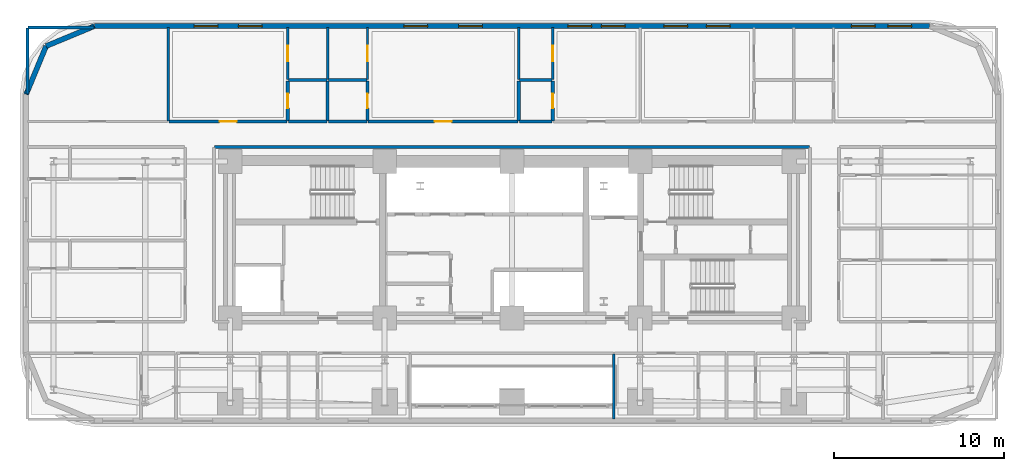
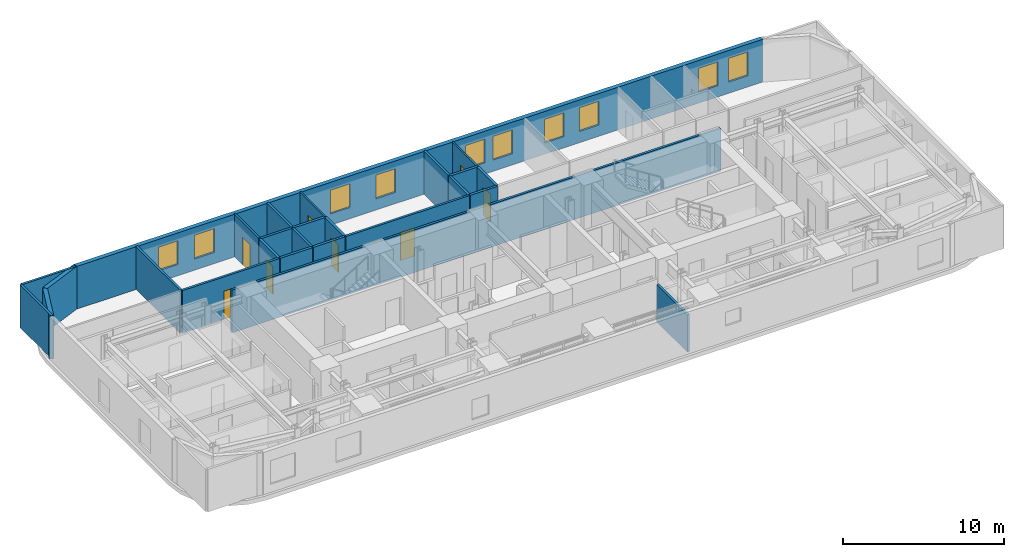
# One storey, part 9 of 15: 26 walls, 10 windows, 8 doors, 18 openings.
"""IFC4 building model written with IfcOpenShell, lengths in metres."""

from ifc_helpers import new_model, si_unit, direction, frame, frame_2d, origin, place, context, subcontext, project, spatial, rectangle, extrude, material, layer, layer_set, type_object, element, fill, save


model = new_model("IFC4")

# Units and contexts
model_context = context("Model", 3, precision=1e-05, world=origin(), true_north=direction((0.0, 1.0)))
body_context = subcontext(model_context, "Body", "Model", "MODEL_VIEW")
ifc_project = project(units=[si_unit("LENGTHUNIT", "METRE"), si_unit("AREAUNIT", "SQUARE_METRE"), si_unit("VOLUMEUNIT", "CUBIC_METRE"), si_unit("PLANEANGLEUNIT", "RADIAN"), si_unit("MASSUNIT", "GRAM", prefix="KILO")], contexts=[model_context])

# Site, building, storey
site_placement = place(None, origin())
site = spatial("IfcSite", under=ifc_project, at=site_placement, CompositionType="ELEMENT")
building_placement = place(site_placement, origin())
building = spatial("IfcBuilding", under=site, at=building_placement, Name="Zarnavel Station Tower", CompositionType="ELEMENT")
storey_placement = place(building_placement, frame((0.0, 0.0, 36.0)))
storey = spatial("IfcBuildingStorey", under=building, at=storey_placement, Name="L09", CompositionType="ELEMENT", Elevation=36.0)

# Wall, openings, windows
ifc_material_1 = material(Name="Precast concrete C45/55 (Dark Basalt Finish)", Category="masonry")
ifc_layer_1 = layer(ifc_material_1, 0.300048828125)
ifc_layer_set_1 = layer_set([ifc_layer_1], Name="EW_BASALT_300")
wall_type_1 = type_object("IfcWallType", Name="EW_BASALT_300", PredefinedType="SOLIDWALL", material=ifc_layer_set_1)
wall_1_placement = place(storey_placement, frame((4.199951171875, 45.02001953125, 0.0), z_axis=(0.0, 0.0, 1.0), x_axis=(1.0, 0.0, 0.0)))
wall_1 = element("IfcWall", 1, at=wall_1_placement, inside=storey, type_object=wall_type_1, Name="L09 Exterior Basalt Masonry Frame Wall 06", PredefinedType="SOLIDWALL", context=body_context, shape_type="SweptSolid", body=[
    extrude(rectangle(XDim=49.199951171875, YDim=0.300048828125, at=frame_2d((24.60009765625, 0.0))), origin(), (0.0, 0.0, 1.0), 3.239990234375),
])
opening_1_placement = place(wall_1_placement, frame((5.870361328125, 0.0, 0.85009765625)))
opening_1 = element("IfcOpeningElement", 2, at=opening_1_placement, cuts=wall_1, Name="Opening WN01", PredefinedType="OPENING", context=body_context, shape_type="SweptSolid", body=[
    extrude(rectangle(XDim=1.39990234375, YDim=1.800048828125, at=frame_2d((0.699951171875, 0.89990234375))), frame((0.0, 0.159912109375, 0.0), z_axis=(0.0, -1.0, 0.0), x_axis=(1.0, 0.0, 0.0)), (0.0, 0.0, 1.0), 0.320068359375),
])
opening_2_placement = place(wall_1_placement, frame((8.480712890625, 0.0, 0.85009765625)))
opening_2 = element("IfcOpeningElement", 3, at=opening_2_placement, cuts=wall_1, Name="Opening WN01", PredefinedType="OPENING", context=body_context, shape_type="SweptSolid", body=[
    extrude(rectangle(XDim=1.39990234375, YDim=1.800048828125, at=frame_2d((0.699951171875, 0.89990234375))), frame((0.0, 0.159912109375, 0.0), z_axis=(0.0, -1.0, 0.0), x_axis=(1.0, 0.0, 0.0)), (0.0, 0.0, 1.0), 0.320068359375),
])
opening_3_placement = place(wall_1_placement, frame((18.226806640625, 0.0, 0.85009765625)))
opening_3 = element("IfcOpeningElement", 4, at=opening_3_placement, cuts=wall_1, Name="Opening WN01", PredefinedType="OPENING", context=body_context, shape_type="SweptSolid", body=[
    extrude(rectangle(XDim=1.39990234375, YDim=1.800048828125, at=frame_2d((0.699951171875, 0.89990234375))), frame((0.0, 0.159912109375, 0.0), z_axis=(0.0, -1.0, 0.0), x_axis=(1.0, 0.0, 0.0)), (0.0, 0.0, 1.0), 0.320068359375),
])
opening_4_placement = place(wall_1_placement, frame((21.46240234375, 0.0, 0.85009765625)))
opening_4 = element("IfcOpeningElement", 5, at=opening_4_placement, cuts=wall_1, Name="Opening WN01", PredefinedType="OPENING", context=body_context, shape_type="SweptSolid", body=[
    extrude(rectangle(XDim=1.39990234375, YDim=1.800048828125, at=frame_2d((0.699951171875, 0.89990234375))), frame((0.0, 0.159912109375, 0.0), z_axis=(0.0, -1.0, 0.0), x_axis=(1.0, 0.0, 0.0)), (0.0, 0.0, 1.0), 0.320068359375),
])
opening_5_placement = place(wall_1_placement, frame((27.884033203125, 0.0, 0.85009765625)))
opening_5 = element("IfcOpeningElement", 6, at=opening_5_placement, cuts=wall_1, Name="Opening WN01", PredefinedType="OPENING", context=body_context, shape_type="SweptSolid", body=[
    extrude(rectangle(XDim=1.39990234375, YDim=1.800048828125, at=frame_2d((0.699951171875, 0.89990234375))), frame((0.0, 0.159912109375, 0.0), z_axis=(0.0, -1.0, 0.0), x_axis=(1.0, 0.0, 0.0)), (0.0, 0.0, 1.0), 0.320068359375),
])
opening_6_placement = place(wall_1_placement, frame((29.866943359375, 0.0, 0.85009765625)))
opening_6 = element("IfcOpeningElement", 7, at=opening_6_placement, cuts=wall_1, Name="Opening WN01", PredefinedType="OPENING", context=body_context, shape_type="SweptSolid", body=[
    extrude(rectangle(XDim=1.39990234375, YDim=1.800048828125, at=frame_2d((0.699951171875, 0.89990234375))), frame((0.0, 0.159912109375, 0.0), z_axis=(0.0, -1.0, 0.0), x_axis=(1.0, 0.0, 0.0)), (0.0, 0.0, 1.0), 0.320068359375),
])
opening_7_placement = place(wall_1_placement, frame((33.550048828125, 0.0, 0.85009765625)))
opening_7 = element("IfcOpeningElement", 8, at=opening_7_placement, cuts=wall_1, Name="Opening WN01", PredefinedType="OPENING", context=body_context, shape_type="SweptSolid", body=[
    extrude(rectangle(XDim=1.39990234375, YDim=1.800048828125, at=frame_2d((0.699951171875, 0.89990234375))), frame((0.0, 0.159912109375, 0.0), z_axis=(0.0, -1.0, 0.0), x_axis=(1.0, 0.0, 0.0)), (0.0, 0.0, 1.0), 0.320068359375),
])
opening_8_placement = place(wall_1_placement, frame((36.050048828125, 0.0, 0.85009765625)))
opening_8 = element("IfcOpeningElement", 9, at=opening_8_placement, cuts=wall_1, Name="Opening WN01", PredefinedType="OPENING", context=body_context, shape_type="SweptSolid", body=[
    extrude(rectangle(XDim=1.39990234375, YDim=1.800048828125, at=frame_2d((0.699951171875, 0.89990234375))), frame((0.0, 0.159912109375, 0.0), z_axis=(0.0, -1.0, 0.0), x_axis=(1.0, 0.0, 0.0)), (0.0, 0.0, 1.0), 0.320068359375),
])
opening_9_placement = place(wall_1_placement, frame((44.59326171875, 0.0, 0.85009765625)))
opening_9 = element("IfcOpeningElement", 10, at=opening_9_placement, cuts=wall_1, Name="Opening WN01", PredefinedType="OPENING", context=body_context, shape_type="SweptSolid", body=[
    extrude(rectangle(XDim=1.39990234375, YDim=1.800048828125, at=frame_2d((0.699951171875, 0.89990234375))), frame((0.0, 0.159912109375, 0.0), z_axis=(0.0, -1.0, 0.0), x_axis=(1.0, 0.0, 0.0)), (0.0, 0.0, 1.0), 0.320068359375),
])
opening_10_placement = place(wall_1_placement, frame((46.73681640625, 0.0, 0.85009765625)))
opening_10 = element("IfcOpeningElement", 11, at=opening_10_placement, cuts=wall_1, Name="Opening WN01", PredefinedType="OPENING", context=body_context, shape_type="SweptSolid", body=[
    extrude(rectangle(XDim=1.39990234375, YDim=1.800048828125, at=frame_2d((0.699951171875, 0.89990234375))), frame((0.0, 0.159912109375, 0.0), z_axis=(0.0, -1.0, 0.0), x_axis=(1.0, 0.0, 0.0)), (0.0, 0.0, 1.0), 0.320068359375),
])
ifc_material_2 = material(Name="Thermally Broken Black Aluminium and Low-E Dark Glass", Category="aluminium")
window_type = type_object("IfcWindowType", Name="WN_1400x1800", PartitioningType="DOUBLE_PANEL_VERTICAL", PredefinedType="WINDOW", material=ifc_material_2)
window_1_placement = place(opening_1_placement, origin())
window_1 = element("IfcWindow", 12, at=window_1_placement, inside=storey, type_object=window_type, Name="L09 Recessed Facade Window 01", OverallHeight=1.800048828125, OverallWidth=1.39990234375, PartitioningType="SINGLE_PANEL", PredefinedType="WINDOW", context=body_context, shape_type="SweptSolid", body=[
    extrude(rectangle(XDim=1.39990234375, YDim=1.800048828125, at=frame_2d((0.699951171875, 0.89990234375))), frame((0.0, 0.030029296875, 0.0), z_axis=(0.0, -1.0, 0.0), x_axis=(1.0, 0.0, 0.0)), (0.0, 0.0, 1.0), 0.06005859375),
])
fill(opening_1, window_1)
window_2_placement = place(opening_2_placement, origin())
window_2 = element("IfcWindow", 13, at=window_2_placement, inside=storey, type_object=window_type, Name="L09 Recessed Facade Window 02", OverallHeight=1.800048828125, OverallWidth=1.39990234375, PartitioningType="SINGLE_PANEL", PredefinedType="WINDOW", context=body_context, shape_type="SweptSolid", body=[
    extrude(rectangle(XDim=1.39990234375, YDim=1.800048828125, at=frame_2d((0.699951171875, 0.89990234375))), frame((0.0, 0.030029296875, 0.0), z_axis=(0.0, -1.0, 0.0), x_axis=(1.0, 0.0, 0.0)), (0.0, 0.0, 1.0), 0.06005859375),
])
fill(opening_2, window_2)
window_3_placement = place(opening_3_placement, origin())
window_3 = element("IfcWindow", 14, at=window_3_placement, inside=storey, type_object=window_type, Name="L09 Recessed Facade Window 03", OverallHeight=1.800048828125, OverallWidth=1.39990234375, PartitioningType="SINGLE_PANEL", PredefinedType="WINDOW", context=body_context, shape_type="SweptSolid", body=[
    extrude(rectangle(XDim=1.39990234375, YDim=1.800048828125, at=frame_2d((0.699951171875, 0.89990234375))), frame((0.0, 0.030029296875, 0.0), z_axis=(0.0, -1.0, 0.0), x_axis=(1.0, 0.0, 0.0)), (0.0, 0.0, 1.0), 0.06005859375),
])
fill(opening_3, window_3)
window_4_placement = place(opening_4_placement, origin())
window_4 = element("IfcWindow", 15, at=window_4_placement, inside=storey, type_object=window_type, Name="L09 Recessed Facade Window 04", OverallHeight=1.800048828125, OverallWidth=1.39990234375, PartitioningType="SINGLE_PANEL", PredefinedType="WINDOW", context=body_context, shape_type="SweptSolid", body=[
    extrude(rectangle(XDim=1.39990234375, YDim=1.800048828125, at=frame_2d((0.699951171875, 0.89990234375))), frame((0.0, 0.030029296875, 0.0), z_axis=(0.0, -1.0, 0.0), x_axis=(1.0, 0.0, 0.0)), (0.0, 0.0, 1.0), 0.06005859375),
])
fill(opening_4, window_4)
window_5_placement = place(opening_5_placement, origin())
window_5 = element("IfcWindow", 16, at=window_5_placement, inside=storey, type_object=window_type, Name="L09 Recessed Facade Window 05", OverallHeight=1.800048828125, OverallWidth=1.39990234375, PartitioningType="SINGLE_PANEL", PredefinedType="WINDOW", context=body_context, shape_type="SweptSolid", body=[
    extrude(rectangle(XDim=1.39990234375, YDim=1.800048828125, at=frame_2d((0.699951171875, 0.89990234375))), frame((0.0, 0.030029296875, 0.0), z_axis=(0.0, -1.0, 0.0), x_axis=(1.0, 0.0, 0.0)), (0.0, 0.0, 1.0), 0.06005859375),
])
fill(opening_5, window_5)
window_6_placement = place(opening_6_placement, origin())
window_6 = element("IfcWindow", 17, at=window_6_placement, inside=storey, type_object=window_type, Name="L09 Recessed Facade Window 06", OverallHeight=1.800048828125, OverallWidth=1.39990234375, PartitioningType="SINGLE_PANEL", PredefinedType="WINDOW", context=body_context, shape_type="SweptSolid", body=[
    extrude(rectangle(XDim=1.39990234375, YDim=1.800048828125, at=frame_2d((0.699951171875, 0.89990234375))), frame((0.0, 0.030029296875, 0.0), z_axis=(0.0, -1.0, 0.0), x_axis=(1.0, 0.0, 0.0)), (0.0, 0.0, 1.0), 0.06005859375),
])
fill(opening_6, window_6)
window_7_placement = place(opening_7_placement, origin())
window_7 = element("IfcWindow", 18, at=window_7_placement, inside=storey, type_object=window_type, Name="L09 Recessed Facade Window 07", OverallHeight=1.800048828125, OverallWidth=1.39990234375, PartitioningType="SINGLE_PANEL", PredefinedType="WINDOW", context=body_context, shape_type="SweptSolid", body=[
    extrude(rectangle(XDim=1.39990234375, YDim=1.800048828125, at=frame_2d((0.699951171875, 0.89990234375))), frame((0.0, 0.030029296875, 0.0), z_axis=(0.0, -1.0, 0.0), x_axis=(1.0, 0.0, 0.0)), (0.0, 0.0, 1.0), 0.06005859375),
])
fill(opening_7, window_7)
window_8_placement = place(opening_8_placement, origin())
window_8 = element("IfcWindow", 19, at=window_8_placement, inside=storey, type_object=window_type, Name="L09 Recessed Facade Window 08", OverallHeight=1.800048828125, OverallWidth=1.39990234375, PartitioningType="SINGLE_PANEL", PredefinedType="WINDOW", context=body_context, shape_type="SweptSolid", body=[
    extrude(rectangle(XDim=1.39990234375, YDim=1.800048828125, at=frame_2d((0.699951171875, 0.89990234375))), frame((0.0, 0.030029296875, 0.0), z_axis=(0.0, -1.0, 0.0), x_axis=(1.0, 0.0, 0.0)), (0.0, 0.0, 1.0), 0.06005859375),
])
fill(opening_8, window_8)
window_9_placement = place(opening_9_placement, origin())
window_9 = element("IfcWindow", 20, at=window_9_placement, inside=storey, type_object=window_type, Name="L09 Recessed Facade Window 09", OverallHeight=1.800048828125, OverallWidth=1.39990234375, PartitioningType="SINGLE_PANEL", PredefinedType="WINDOW", context=body_context, shape_type="SweptSolid", body=[
    extrude(rectangle(XDim=1.39990234375, YDim=1.800048828125, at=frame_2d((0.699951171875, 0.89990234375))), frame((0.0, 0.030029296875, 0.0), z_axis=(0.0, -1.0, 0.0), x_axis=(1.0, 0.0, 0.0)), (0.0, 0.0, 1.0), 0.06005859375),
])
fill(opening_9, window_9)
window_10_placement = place(opening_10_placement, origin())
window_10 = element("IfcWindow", 21, at=window_10_placement, inside=storey, type_object=window_type, Name="L09 Recessed Facade Window 10", OverallHeight=1.800048828125, OverallWidth=1.39990234375, PartitioningType="SINGLE_PANEL", PredefinedType="WINDOW", context=body_context, shape_type="SweptSolid", body=[
    extrude(rectangle(XDim=1.39990234375, YDim=1.800048828125, at=frame_2d((0.699951171875, 0.89990234375))), frame((0.0, 0.030029296875, 0.0), z_axis=(0.0, -1.0, 0.0), x_axis=(1.0, 0.0, 0.0)), (0.0, 0.0, 1.0), 0.06005859375),
])
fill(opening_10, window_10)

# Walls
for number, where, z_axis, x_axis, name in (
    (22, (1.357421875, 43.842529296875, 0.0), (0.0, 0.0, 1.0), (0.923870793506, 0.382704529509, 0.0), "L09 Exterior Basalt Masonry Frame Wall 07"),
    (23, (0.179931640625, 41.0, 0.0), (0.0, 0.0, 1.0), (0.382704529509, 0.923870793506, 0.0), "L09 Exterior Basalt Masonry Frame Wall 08"),
):
    element("IfcWall", number, at=place(storey_placement, frame(where, z_axis=z_axis, x_axis=x_axis)), inside=storey, type_object=wall_type_1, Name=name, PredefinedType="SOLIDWALL", context=body_context, shape_type="SweptSolid", body=[
        extrude(rectangle(XDim=3.07666015625, YDim=0.300048828125, at=frame_2d((1.538330078125, 0.0))), origin(), (0.0, 0.0, 1.0), 3.239990234375),
    ])

# Wall, opening, door
ifc_material_3 = material(Name="Gypsum Twin-Stud Acoustic Fire Partition", Category="concrete")
ifc_layer_2 = layer(ifc_material_3, 0.159912109375)
ifc_layer_set_2 = layer_set([ifc_layer_2], Name="PT_DEMISE_160")
wall_type_2 = type_object("IfcWallType", Name="PT_DEMISE_160", PredefinedType="PARTITIONING", material=ifc_layer_set_2)
wall_2_placement = place(storey_placement, frame((8.60009765625, 39.39990234375, 0.0), z_axis=(0.0, 0.0, 1.0), x_axis=(1.0, 0.0, 0.0)))
wall_2 = element("IfcWall", 24, at=wall_2_placement, inside=storey, type_object=wall_type_2, Name="L09 Partition COR-N-HN1R", PredefinedType="PARTITIONING", context=body_context, shape_type="SweptSolid", body=[
    extrude(rectangle(XDim=6.950927734375, YDim=0.159912109375, at=frame_2d((3.4755859375, 0.0))), origin(), (0.0, 0.0, 1.0), 3.239990234375),
])
opening_11_placement = place(wall_2_placement, frame((2.9755859375, 0.0, 0.0)))
opening_11 = element("IfcOpeningElement", 25, at=opening_11_placement, cuts=wall_2, Name="Opening FD02", PredefinedType="OPENING", context=body_context, shape_type="SweptSolid", body=[
    extrude(rectangle(XDim=1.0, YDim=2.14990234375, at=frame_2d((0.5, 1.074951171875))), frame((0.0, 0.08984375, 0.0), z_axis=(0.0, -1.0, 0.0), x_axis=(1.0, 0.0, 0.0)), (0.0, 0.0, 1.0), 0.179931640625),
])
ifc_material_4 = material(Name="Painted Galvanised Steel and Hardwood Leaf", Category="steel")
door_type_1 = type_object("IfcDoorType", Name="ID_ENTRY_1000", OperationType="NOTDEFINED", PredefinedType="DOOR", material=ifc_material_4)
door_1_placement = place(opening_11_placement, origin())
door_1 = element("IfcDoor", 26, at=door_1_placement, inside=storey, type_object=door_type_1, Name="L09 Door COR-N-HN1R", OperationType="SINGLE_SWING_LEFT", OverallHeight=2.14990234375, OverallWidth=1.0, PredefinedType="DOOR", context=body_context, shape_type="SweptSolid", body=[
    extrude(rectangle(XDim=1.0, YDim=2.14990234375, at=frame_2d((0.5, 1.074951171875))), frame((0.0, 0.02490234375, 0.0), z_axis=(0.0, -1.0, 0.0), x_axis=(1.0, 0.0, 0.0)), (0.0, 0.0, 1.0), 0.050048828125),
])
fill(opening_11, door_1)

wall_3_placement = place(storey_placement, frame((20.3310546875, 39.39990234375, 0.0), z_axis=(0.0, 0.0, 1.0), x_axis=(1.0, 0.0, 0.0)))
wall_3 = element("IfcWall", 27, at=wall_3_placement, inside=storey, type_object=wall_type_2, Name="L09 Partition COR-N-HN2R", PredefinedType="PARTITIONING", context=body_context, shape_type="SweptSolid", body=[
    extrude(rectangle(XDim=8.826904296875, YDim=0.159912109375, at=frame_2d((4.41357421875, 0.0))), origin(), (0.0, 0.0, 1.0), 3.239990234375),
])
opening_12_placement = place(wall_3_placement, frame((3.91357421875, 0.0, 0.0)))
opening_12 = element("IfcOpeningElement", 28, at=opening_12_placement, cuts=wall_3, Name="Opening FD02", PredefinedType="OPENING", context=body_context, shape_type="SweptSolid", body=[
    extrude(rectangle(XDim=1.0, YDim=2.14990234375, at=frame_2d((0.5, 1.074951171875))), frame((0.0, 0.08984375, 0.0), z_axis=(0.0, -1.0, 0.0), x_axis=(1.0, 0.0, 0.0)), (0.0, 0.0, 1.0), 0.179931640625),
])
door_2_placement = place(opening_12_placement, origin())
door_2 = element("IfcDoor", 29, at=door_2_placement, inside=storey, type_object=door_type_1, Name="L09 Door COR-N-HN2R", OperationType="SINGLE_SWING_RIGHT", OverallHeight=2.14990234375, OverallWidth=1.0, PredefinedType="DOOR", context=body_context, shape_type="SweptSolid", body=[
    extrude(rectangle(XDim=1.0, YDim=2.14990234375, at=frame_2d((0.5, 1.074951171875))), frame((0.0, 0.02490234375, 0.0), z_axis=(0.0, -1.0, 0.0), x_axis=(1.0, 0.0, 0.0)), (0.0, 0.0, 1.0), 0.050048828125),
])
fill(opening_12, door_2)

# Walls
wall_4_placement = place(storey_placement, frame((8.56005859375, 39.43994140625, 0.0), z_axis=(0.0, 0.0, 1.0), x_axis=(0.0, 1.0, 0.0)))
element("IfcWall", 30, at=wall_4_placement, inside=storey, type_object=wall_type_2, Name="L09 Partition HSKP-HN1R", PredefinedType="PARTITIONING", context=body_context, shape_type="SweptSolid", body=[
    extrude(rectangle(XDim=5.5, YDim=0.159912109375, at=frame_2d((2.75, 0.0))), origin(), (0.0, 0.0, 1.0), 3.239990234375),
])
for number, where, z_axis, x_axis, name in (
    (31, (17.94091796875, 41.8779296875, 0.0), (0.0, 0.0, 1.0), (0.0, 1.0, 0.0), "L09 Partition HN1S-HN2S"),
    (32, (29.197998046875, 41.8779296875, 0.0), (0.0, 0.0, 1.0), (0.0, 1.0, 0.0), "L09 Partition HN2R-HN3S"),
):
    element("IfcWall", number, at=place(storey_placement, frame(where, z_axis=z_axis, x_axis=x_axis)), inside=storey, type_object=wall_type_2, Name=name, PredefinedType="PARTITIONING", context=body_context, shape_type="SweptSolid", body=[
        extrude(rectangle(XDim=3.06201171875, YDim=0.159912109375, at=frame_2d((1.531005859375, 0.0))), origin(), (0.0, 0.0, 1.0), 3.239990234375),
    ])
wall_5_placement = place(storey_placement, frame((11.280029296875, 37.89990234375, 0.0), z_axis=(0.0, 0.0, 1.0), x_axis=(1.0, 0.0, 0.0)))
element("IfcWall", 33, at=wall_5_placement, inside=storey, type_object=wall_type_2, Name="L09 Enclosure Wall COR-N", PredefinedType="PARTITIONING", context=body_context, shape_type="SweptSolid", body=[
    extrude(rectangle(XDim=35.0400390625, YDim=0.159912109375, at=frame_2d((17.52001953125, 0.0))), origin(), (0.0, 0.0, 1.0), 3.239990234375),
])
for number, where, z_axis, x_axis, name in (
    (34, (0.2900390625, 44.93994140625, 0.0), (0.0, 0.0, 1.0), (1.0, 0.0, 0.0), "L09 Enclosure Wall HSKP"),
    (35, (0.260009765625, 41.030029296875, 0.0), (0.0, 0.0, 1.0), (0.0, 1.0, 0.0), "L09 Enclosure Wall HSKP"),
):
    element("IfcWall", number, at=place(storey_placement, frame(where, z_axis=z_axis, x_axis=x_axis)), inside=storey, type_object=wall_type_2, Name=name, PredefinedType="PARTITIONING", context=body_context, shape_type="SweptSolid", body=[
        extrude(rectangle(XDim=3.8798828125, YDim=0.159912109375, at=frame_2d((1.93994140625, 0.0))), origin(), (0.0, 0.0, 1.0), 3.239990234375),
    ])
wall_6_placement = place(storey_placement, frame((34.800048828125, 21.889892578125, 0.0), z_axis=(0.0, 0.0, 1.0), x_axis=(0.0, 1.0, 0.0)))
element("IfcWall", 36, at=wall_6_placement, inside=storey, type_object=wall_type_2, Name="L09 Enclosure Wall HE1R", PredefinedType="PARTITIONING", context=body_context, shape_type="SweptSolid", body=[
    extrude(rectangle(XDim=3.830078125, YDim=0.159912109375, at=frame_2d((1.9150390625, 0.0))), origin(), (0.0, 0.0, 1.0), 2.820068359375),
])

# Wall, opening, door
ifc_material_5 = material(Name="Gypsum Metal-Stud Interior Partition", Category="concrete")
ifc_layer_3 = layer(ifc_material_5, 0.1201171875)
ifc_layer_set_3 = layer_set([ifc_layer_3], Name="PT_ROOM_120")
wall_type_3 = type_object("IfcWallType", Name="PT_ROOM_120", PredefinedType="PARTITIONING", material=ifc_layer_set_3)
wall_7_placement = place(storey_placement, frame((15.591064453125, 41.8779296875, 0.0), z_axis=(0.0, 0.0, 1.0), x_axis=(0.0, 1.0, 0.0)))
wall_7 = element("IfcWall", 37, at=wall_7_placement, inside=storey, type_object=wall_type_3, Name="L09 Partition HN1R-HN1S", PredefinedType="PARTITIONING", context=body_context, shape_type="SweptSolid", body=[
    extrude(rectangle(XDim=3.06201171875, YDim=0.1201171875, at=frame_2d((1.531005859375, 0.0))), origin(), (0.0, 0.0, 1.0), 3.239990234375),
])
opening_13_placement = place(wall_7_placement, frame((1.0810546875, 0.0, 0.0)))
opening_13 = element("IfcOpeningElement", 38, at=opening_13_placement, cuts=wall_7, Name="Opening ID01", PredefinedType="OPENING", context=body_context, shape_type="SweptSolid", body=[
    extrude(rectangle(XDim=0.89990234375, YDim=2.10009765625, at=frame_2d((0.449951171875, 1.050048828125))), frame((0.0, 0.070068359375, 0.0), z_axis=(0.0, -1.0, 0.0), x_axis=(1.0, 0.0, 0.0)), (0.0, 0.0, 1.0), 0.14013671875),
])
ifc_material_6 = material(Name="Painted Galvanised Steel and Hardwood Leaf", Category="steel")
door_type_2 = type_object("IfcDoorType", Name="ID_ROOM_900", OperationType="NOTDEFINED", PredefinedType="DOOR", material=ifc_material_6)
door_3_placement = place(opening_13_placement, origin())
door_3 = element("IfcDoor", 39, at=door_3_placement, inside=storey, type_object=door_type_2, Name="L09 Door HN1R-HN1S", OperationType="SINGLE_SWING_LEFT", OverallHeight=2.10009765625, OverallWidth=0.89990234375, PredefinedType="DOOR", context=body_context, shape_type="SweptSolid", body=[
    extrude(rectangle(XDim=0.89990234375, YDim=2.10009765625, at=frame_2d((0.449951171875, 1.050048828125))), frame((0.0, 0.02490234375, 0.0), z_axis=(0.0, -1.0, 0.0), x_axis=(1.0, 0.0, 0.0)), (0.0, 0.0, 1.0), 0.050048828125),
])
fill(opening_13, door_3)

wall_8_placement = place(storey_placement, frame((20.291015625, 41.8779296875, 0.0), z_axis=(0.0, 0.0, 1.0), x_axis=(0.0, 1.0, 0.0)))
wall_8 = element("IfcWall", 40, at=wall_8_placement, inside=storey, type_object=wall_type_3, Name="L09 Partition HN2R-HN2S", PredefinedType="PARTITIONING", context=body_context, shape_type="SweptSolid", body=[
    extrude(rectangle(XDim=3.06201171875, YDim=0.1201171875, at=frame_2d((1.531005859375, 0.0))), origin(), (0.0, 0.0, 1.0), 3.239990234375),
])
opening_14_placement = place(wall_8_placement, frame((1.0810546875, 0.0, 0.0)))
opening_14 = element("IfcOpeningElement", 41, at=opening_14_placement, cuts=wall_8, Name="Opening ID01", PredefinedType="OPENING", context=body_context, shape_type="SweptSolid", body=[
    extrude(rectangle(XDim=0.89990234375, YDim=2.10009765625, at=frame_2d((0.449951171875, 1.050048828125))), frame((0.0, 0.070068359375, 0.0), z_axis=(0.0, -1.0, 0.0), x_axis=(1.0, 0.0, 0.0)), (0.0, 0.0, 1.0), 0.14013671875),
])
door_4_placement = place(opening_14_placement, origin())
door_4 = element("IfcDoor", 42, at=door_4_placement, inside=storey, type_object=door_type_2, Name="L09 Door HN2R-HN2S", OperationType="SINGLE_SWING_LEFT", OverallHeight=2.10009765625, OverallWidth=0.89990234375, PredefinedType="DOOR", context=body_context, shape_type="SweptSolid", body=[
    extrude(rectangle(XDim=0.89990234375, YDim=2.10009765625, at=frame_2d((0.449951171875, 1.050048828125))), frame((0.0, 0.02490234375, 0.0), z_axis=(0.0, -1.0, 0.0), x_axis=(1.0, 0.0, 0.0)), (0.0, 0.0, 1.0), 0.050048828125),
])
fill(opening_14, door_4)

wall_9_placement = place(storey_placement, frame((31.200927734375, 41.8779296875, 0.0), z_axis=(0.0, 0.0, 1.0), x_axis=(0.0, 1.0, 0.0)))
wall_9 = element("IfcWall", 43, at=wall_9_placement, inside=storey, type_object=wall_type_3, Name="L09 Partition HN3R-HN3S", PredefinedType="PARTITIONING", context=body_context, shape_type="SweptSolid", body=[
    extrude(rectangle(XDim=3.06201171875, YDim=0.1201171875, at=frame_2d((1.531005859375, 0.0))), origin(), (0.0, 0.0, 1.0), 3.239990234375),
])
opening_15_placement = place(wall_9_placement, frame((1.0810546875, 0.0, 0.0)))
opening_15 = element("IfcOpeningElement", 44, at=opening_15_placement, cuts=wall_9, Name="Opening ID01", PredefinedType="OPENING", context=body_context, shape_type="SweptSolid", body=[
    extrude(rectangle(XDim=0.89990234375, YDim=2.10009765625, at=frame_2d((0.449951171875, 1.050048828125))), frame((0.0, 0.070068359375, 0.0), z_axis=(0.0, -1.0, 0.0), x_axis=(1.0, 0.0, 0.0)), (0.0, 0.0, 1.0), 0.14013671875),
])
door_5_placement = place(opening_15_placement, origin())
door_5 = element("IfcDoor", 45, at=door_5_placement, inside=storey, type_object=door_type_2, Name="L09 Door HN3R-HN3S", OperationType="SINGLE_SWING_LEFT", OverallHeight=2.10009765625, OverallWidth=0.89990234375, PredefinedType="DOOR", context=body_context, shape_type="SweptSolid", body=[
    extrude(rectangle(XDim=0.89990234375, YDim=2.10009765625, at=frame_2d((0.449951171875, 1.050048828125))), frame((0.0, 0.02490234375, 0.0), z_axis=(0.0, -1.0, 0.0), x_axis=(1.0, 0.0, 0.0)), (0.0, 0.0, 1.0), 0.050048828125),
])
fill(opening_15, door_5)

# Walls
ifc_material_7 = material(Name="Moisture-Resistant Plumbing Chase Wall", Category="concrete")
ifc_layer_4 = layer(ifc_material_7, 0.179931640625)
ifc_layer_set_4 = layer_set([ifc_layer_4], Name="PW_PLUMB_180")
wall_type_4 = type_object("IfcWallType", Name="PW_PLUMB_180", PredefinedType="PLUMBINGWALL", material=ifc_layer_set_4)
wall_10_placement = place(storey_placement, frame((15.631103515625, 39.39990234375, 0.0), z_axis=(0.0, 0.0, 1.0), x_axis=(1.0, 0.0, 0.0)))
element("IfcWall", 46, at=wall_10_placement, inside=storey, type_object=wall_type_4, Name="L09 Partition COR-N-HN1B", PredefinedType="PLUMBINGWALL", context=body_context, shape_type="SweptSolid", body=[
    extrude(rectangle(XDim=2.269775390625, YDim=0.179931640625, at=frame_2d((1.134765625, 0.0))), origin(), (0.0, 0.0, 1.0), 3.239990234375),
])
wall_11_placement = place(storey_placement, frame((17.98095703125, 39.39990234375, 0.0), z_axis=(0.0, 0.0, 1.0), x_axis=(1.0, 0.0, 0.0)))
element("IfcWall", 47, at=wall_11_placement, inside=storey, type_object=wall_type_4, Name="L09 Partition COR-N-HN2B", PredefinedType="PLUMBINGWALL", context=body_context, shape_type="SweptSolid", body=[
    extrude(rectangle(XDim=2.27001953125, YDim=0.179931640625, at=frame_2d((1.135009765625, 0.0))), origin(), (0.0, 0.0, 1.0), 3.239990234375),
])
wall_12_placement = place(storey_placement, frame((29.238037109375, 39.39990234375, 0.0), z_axis=(0.0, 0.0, 1.0), x_axis=(1.0, 0.0, 0.0)))
element("IfcWall", 48, at=wall_12_placement, inside=storey, type_object=wall_type_4, Name="L09 Partition COR-N-HN3B", PredefinedType="PLUMBINGWALL", context=body_context, shape_type="SweptSolid", body=[
    extrude(rectangle(XDim=1.9228515625, YDim=0.179931640625, at=frame_2d((0.96142578125, 0.0))), origin(), (0.0, 0.0, 1.0), 3.239990234375),
])

# Wall, opening, door
wall_13_placement = place(storey_placement, frame((15.591064453125, 39.43994140625, 0.0), z_axis=(0.0, 0.0, 1.0), x_axis=(0.0, 1.0, 0.0)))
wall_13 = element("IfcWall", 49, at=wall_13_placement, inside=storey, type_object=wall_type_4, Name="L09 Partition HN1R-HN1B", PredefinedType="PLUMBINGWALL", context=body_context, shape_type="SweptSolid", body=[
    extrude(rectangle(XDim=2.358154296875, YDim=0.179931640625, at=frame_2d((1.17919921875, 0.0))), origin(), (0.0, 0.0, 1.0), 3.239990234375),
])
opening_16_placement = place(wall_13_placement, frame((0.75390625, 0.0, 0.0)))
opening_16 = element("IfcOpeningElement", 50, at=opening_16_placement, cuts=wall_13, Name="Opening ID02", PredefinedType="OPENING", context=body_context, shape_type="SweptSolid", body=[
    extrude(rectangle(XDim=0.85009765625, YDim=2.10009765625, at=frame_2d((0.425048828125, 1.050048828125))), frame((0.0, 0.099853515625, 0.0), z_axis=(0.0, -1.0, 0.0), x_axis=(1.0, 0.0, 0.0)), (0.0, 0.0, 1.0), 0.199951171875),
])
ifc_material_8 = material(Name="Painted Galvanised Steel and Hardwood Leaf", Category="steel")
door_type_3 = type_object("IfcDoorType", Name="ID_BATH_850", OperationType="NOTDEFINED", PredefinedType="DOOR", material=ifc_material_8)
door_6_placement = place(opening_16_placement, origin())
door_6 = element("IfcDoor", 51, at=door_6_placement, inside=storey, type_object=door_type_3, Name="L09 Door HN1R-HN1B", OperationType="SINGLE_SWING_RIGHT", OverallHeight=2.10009765625, OverallWidth=0.85009765625, PredefinedType="DOOR", context=body_context, shape_type="SweptSolid", body=[
    extrude(rectangle(XDim=0.85009765625, YDim=2.10009765625, at=frame_2d((0.425048828125, 1.050048828125))), frame((0.0, 0.02490234375, 0.0), z_axis=(0.0, -1.0, 0.0), x_axis=(1.0, 0.0, 0.0)), (0.0, 0.0, 1.0), 0.050048828125),
])
fill(opening_16, door_6)

# Walls
wall_14_placement = place(storey_placement, frame((15.631103515625, 41.837890625, 0.0), z_axis=(0.0, 0.0, 1.0), x_axis=(1.0, 0.0, 0.0)))
element("IfcWall", 52, at=wall_14_placement, inside=storey, type_object=wall_type_4, Name="L09 Partition HN1B-HN1S", PredefinedType="PLUMBINGWALL", context=body_context, shape_type="SweptSolid", body=[
    extrude(rectangle(XDim=2.269775390625, YDim=0.179931640625, at=frame_2d((1.134765625, 0.0))), origin(), (0.0, 0.0, 1.0), 3.239990234375),
])
wall_15_placement = place(storey_placement, frame((17.94091796875, 39.43994140625, 0.0), z_axis=(0.0, 0.0, 1.0), x_axis=(0.0, 1.0, 0.0)))
element("IfcWall", 53, at=wall_15_placement, inside=storey, type_object=wall_type_4, Name="L09 Partition HN1B-HN2B", PredefinedType="PLUMBINGWALL", context=body_context, shape_type="SweptSolid", body=[
    extrude(rectangle(XDim=2.358154296875, YDim=0.179931640625, at=frame_2d((1.17919921875, 0.0))), origin(), (0.0, 0.0, 1.0), 3.239990234375),
])

# Wall, opening, door
wall_16_placement = place(storey_placement, frame((20.291015625, 39.43994140625, 0.0), z_axis=(0.0, 0.0, 1.0), x_axis=(0.0, 1.0, 0.0)))
wall_16 = element("IfcWall", 54, at=wall_16_placement, inside=storey, type_object=wall_type_4, Name="L09 Partition HN2R-HN2B", PredefinedType="PLUMBINGWALL", context=body_context, shape_type="SweptSolid", body=[
    extrude(rectangle(XDim=2.358154296875, YDim=0.179931640625, at=frame_2d((1.17919921875, 0.0))), origin(), (0.0, 0.0, 1.0), 3.239990234375),
])
opening_17_placement = place(wall_16_placement, frame((0.75390625, 0.0, 0.0)))
opening_17 = element("IfcOpeningElement", 55, at=opening_17_placement, cuts=wall_16, Name="Opening ID02", PredefinedType="OPENING", context=body_context, shape_type="SweptSolid", body=[
    extrude(rectangle(XDim=0.85009765625, YDim=2.10009765625, at=frame_2d((0.425048828125, 1.050048828125))), frame((0.0, 0.099853515625, 0.0), z_axis=(0.0, -1.0, 0.0), x_axis=(1.0, 0.0, 0.0)), (0.0, 0.0, 1.0), 0.199951171875),
])
door_7_placement = place(opening_17_placement, origin())
door_7 = element("IfcDoor", 56, at=door_7_placement, inside=storey, type_object=door_type_3, Name="L09 Door HN2R-HN2B", OperationType="SINGLE_SWING_RIGHT", OverallHeight=2.10009765625, OverallWidth=0.85009765625, PredefinedType="DOOR", context=body_context, shape_type="SweptSolid", body=[
    extrude(rectangle(XDim=0.85009765625, YDim=2.10009765625, at=frame_2d((0.425048828125, 1.050048828125))), frame((0.0, 0.02490234375, 0.0), z_axis=(0.0, -1.0, 0.0), x_axis=(1.0, 0.0, 0.0)), (0.0, 0.0, 1.0), 0.050048828125),
])
fill(opening_17, door_7)

# Walls
wall_17_placement = place(storey_placement, frame((29.197998046875, 39.43994140625, 0.0), z_axis=(0.0, 0.0, 1.0), x_axis=(0.0, 1.0, 0.0)))
element("IfcWall", 57, at=wall_17_placement, inside=storey, type_object=wall_type_4, Name="L09 Partition HN2R-HN3B", PredefinedType="PLUMBINGWALL", context=body_context, shape_type="SweptSolid", body=[
    extrude(rectangle(XDim=2.358154296875, YDim=0.179931640625, at=frame_2d((1.17919921875, 0.0))), origin(), (0.0, 0.0, 1.0), 3.239990234375),
])
wall_18_placement = place(storey_placement, frame((17.98095703125, 41.837890625, 0.0), z_axis=(0.0, 0.0, 1.0), x_axis=(1.0, 0.0, 0.0)))
element("IfcWall", 58, at=wall_18_placement, inside=storey, type_object=wall_type_4, Name="L09 Partition HN2B-HN2S", PredefinedType="PLUMBINGWALL", context=body_context, shape_type="SweptSolid", body=[
    extrude(rectangle(XDim=2.27001953125, YDim=0.179931640625, at=frame_2d((1.135009765625, 0.0))), origin(), (0.0, 0.0, 1.0), 3.239990234375),
])

# Wall, opening, door
wall_19_placement = place(storey_placement, frame((31.200927734375, 39.43994140625, 0.0), z_axis=(0.0, 0.0, 1.0), x_axis=(0.0, 1.0, 0.0)))
wall_19 = element("IfcWall", 59, at=wall_19_placement, inside=storey, type_object=wall_type_4, Name="L09 Partition HN3R-HN3B", PredefinedType="PLUMBINGWALL", context=body_context, shape_type="SweptSolid", body=[
    extrude(rectangle(XDim=2.358154296875, YDim=0.179931640625, at=frame_2d((1.17919921875, 0.0))), origin(), (0.0, 0.0, 1.0), 3.239990234375),
])
opening_18_placement = place(wall_19_placement, frame((0.75390625, 0.0, 0.0)))
opening_18 = element("IfcOpeningElement", 60, at=opening_18_placement, cuts=wall_19, Name="Opening ID02", PredefinedType="OPENING", context=body_context, shape_type="SweptSolid", body=[
    extrude(rectangle(XDim=0.85009765625, YDim=2.10009765625, at=frame_2d((0.425048828125, 1.050048828125))), frame((0.0, 0.099853515625, 0.0), z_axis=(0.0, -1.0, 0.0), x_axis=(1.0, 0.0, 0.0)), (0.0, 0.0, 1.0), 0.199951171875),
])
door_8_placement = place(opening_18_placement, origin())
door_8 = element("IfcDoor", 61, at=door_8_placement, inside=storey, type_object=door_type_3, Name="L09 Door HN3R-HN3B", OperationType="SINGLE_SWING_RIGHT", OverallHeight=2.10009765625, OverallWidth=0.85009765625, PredefinedType="DOOR", context=body_context, shape_type="SweptSolid", body=[
    extrude(rectangle(XDim=0.85009765625, YDim=2.10009765625, at=frame_2d((0.425048828125, 1.050048828125))), frame((0.0, 0.02490234375, 0.0), z_axis=(0.0, -1.0, 0.0), x_axis=(1.0, 0.0, 0.0)), (0.0, 0.0, 1.0), 0.050048828125),
])
fill(opening_18, door_8)

# Wall
wall_20_placement = place(storey_placement, frame((29.238037109375, 41.837890625, 0.0), z_axis=(0.0, 0.0, 1.0), x_axis=(1.0, 0.0, 0.0)))
element("IfcWall", 62, at=wall_20_placement, inside=storey, type_object=wall_type_4, Name="L09 Partition HN3B-HN3S", PredefinedType="PLUMBINGWALL", context=body_context, shape_type="SweptSolid", body=[
    extrude(rectangle(XDim=1.9228515625, YDim=0.179931640625, at=frame_2d((0.96142578125, 0.0))), origin(), (0.0, 0.0, 1.0), 3.239990234375),
])

save(model, "model.ifc")
